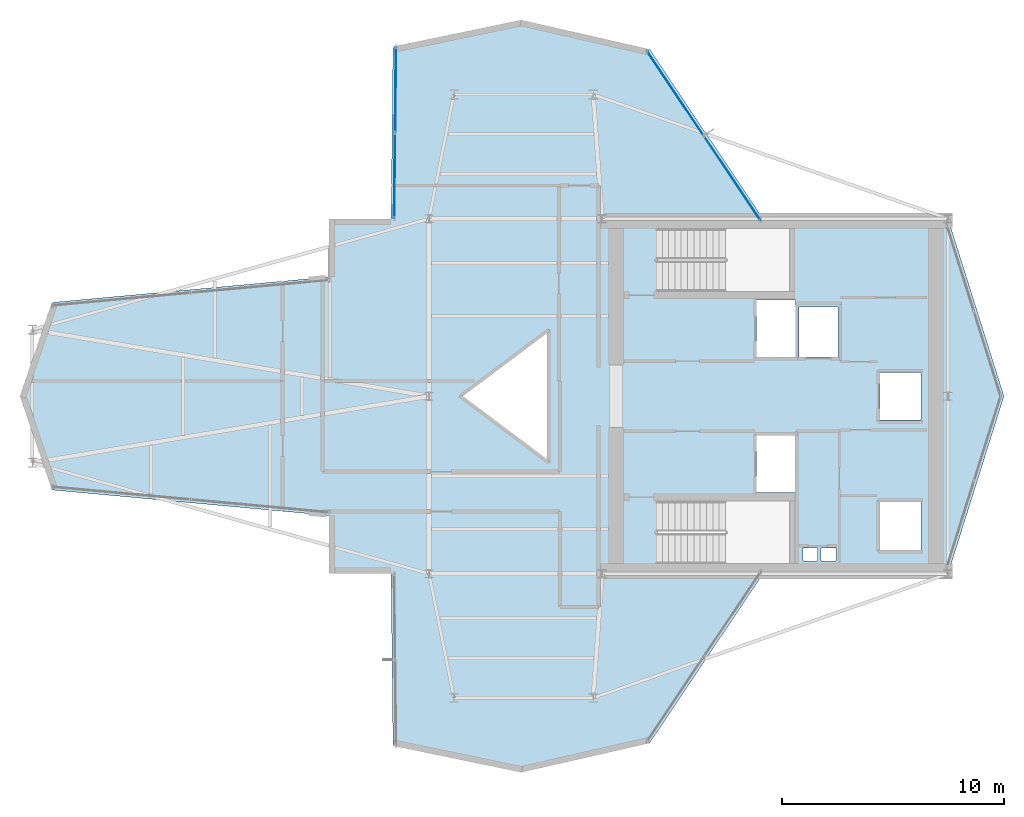
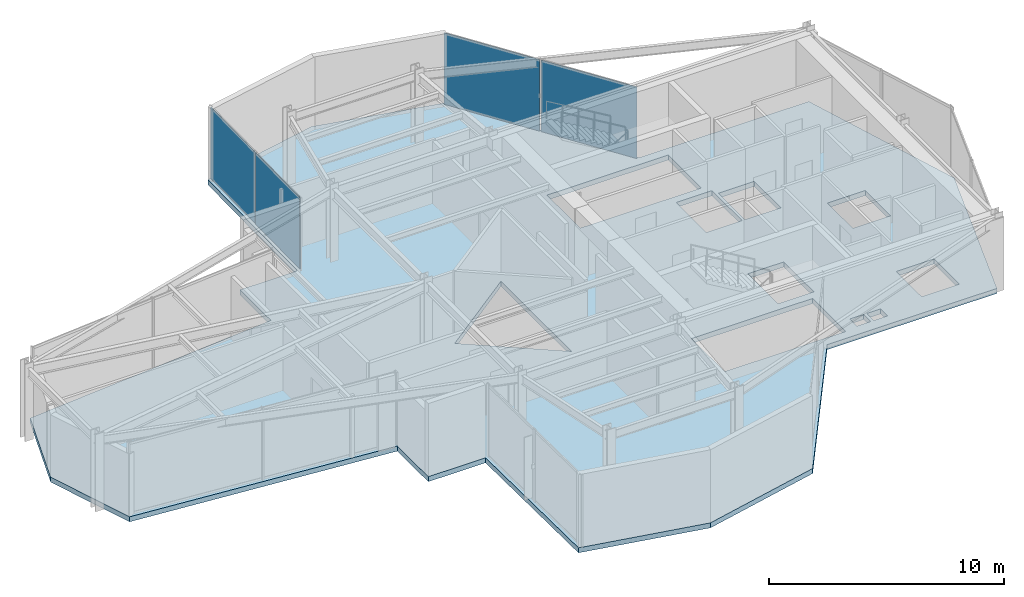
# One storey, part 18 of 22: 4 plates, 1 slab, 2 elements without a shape of their own.
"""IFC4 building model written with IfcOpenShell, lengths in metres."""

from ifc_helpers import new_model, si_unit, direction, frame, origin, origin_2d, place, context, subcontext, project, spatial, polyline, rectangle, outline, extrude, material, layer, layer_set, type_object, element, aggregate, save


model = new_model("IFC4")

# Units and contexts
model_context = context("Model", 3, precision=1e-05, world=origin(), true_north=direction((0.0, 1.0)))
body_context = subcontext(model_context, "Body", "Model", "MODEL_VIEW")
ifc_project = project(units=[si_unit("LENGTHUNIT", "METRE"), si_unit("AREAUNIT", "SQUARE_METRE"), si_unit("VOLUMEUNIT", "CUBIC_METRE"), si_unit("PLANEANGLEUNIT", "RADIAN"), si_unit("MASSUNIT", "GRAM", prefix="KILO")], contexts=[model_context])

# Site, building, storey
site_placement = place(None, origin())
site = spatial("IfcSite", under=ifc_project, at=site_placement, CompositionType="ELEMENT")
building_placement = place(site_placement, origin())
building = spatial("IfcBuilding", under=site, at=building_placement, Name="Veymaron Broadcast Tower", CompositionType="ELEMENT")
storey_placement = place(building_placement, frame((0.0, 0.0, 208.050048828125)))
storey = spatial("IfcBuildingStorey", under=building, at=storey_placement, Name="L48", CompositionType="ELEMENT", Elevation=208.050048828125)

# Curtain wall, plates
ifc_material_1 = material(Name="Anodised aluminium AA 6063-T6 and laminated low-E dark glass", Category="aluminium")
ifc_layer_1 = layer(ifc_material_1, 0.179931640625)
ifc_layer_set_1 = layer_set([ifc_layer_1], Name="Anodised aluminium AA 6063-T6 and laminated low-E dark glass")
curtain_wall_type = type_object("IfcCurtainWallType", Name="CW-SYS-05", PredefinedType="NOTDEFINED", material=ifc_layer_set_1)
curtain_wall_1_placement = place(storey_placement, origin())
curtain_wall_1 = element("IfcCurtainWall", 1, at=curtain_wall_1_placement, inside=storey, type_object=curtain_wall_type, Name="L48 dark-glass curtain wall CW-L48-E5-1", PredefinedType="NOTDEFINED")
ifc_material_2 = material(Name="Double-silver solar-control dark glass IGU 32 mm", Category="glass")
ifc_layer_2 = layer(ifc_material_2, 0.031982421875)
ifc_layer_set_2 = layer_set([ifc_layer_2], Name="Double-silver solar-control dark glass IGU 32 mm")
plate_type = type_object("IfcPlateType", Name="CW-PNL-02", PredefinedType="CURTAIN_PANEL", material=ifc_layer_set_2)
plate_1_placement = place(storey_placement, frame((44.867919921875, 33.83203125, 0.0400390625), z_axis=(0.0, 0.0, 1.0), x_axis=(-0.556658147909, 0.830741660426, 0.0)))
plate_1 = element("IfcPlate", 2, at=plate_1_placement, type_object=plate_type, Name="CW-L48-E5-1 unitised curtain panel 0", PredefinedType="CURTAIN_PANEL", context=body_context, shape_type="SweptSolid", body=[
    extrude(rectangle(XDim=4.538330078125, YDim=0.031982421875, at=origin_2d()), origin(), (0.0, 0.0, 1.0), 3.7099609375),
])
plate_2_placement = place(storey_placement, frame((42.30810546875, 37.652099609375, 0.0400390625), z_axis=(0.0, 0.0, 1.0), x_axis=(-0.556658147909, 0.830741660426, 0.0)))
plate_2 = element("IfcPlate", 3, at=plate_2_placement, type_object=plate_type, Name="CW-L48-E5-1 unitised curtain panel 1", PredefinedType="CURTAIN_PANEL", context=body_context, shape_type="SweptSolid", body=[
    extrude(rectangle(XDim=4.538330078125, YDim=0.031982421875, at=origin_2d()), origin(), (0.0, 0.0, 1.0), 3.7099609375),
])
aggregate(curtain_wall_1, [plate_1, plate_2])

curtain_wall_2_placement = place(storey_placement, origin())
curtain_wall_2 = element("IfcCurtainWall", 4, at=curtain_wall_2_placement, inside=storey, type_object=curtain_wall_type, Name="L48 dark-glass curtain wall CW-L48-E8-1", PredefinedType="NOTDEFINED")
plate_3_placement = place(storey_placement, frame((29.69384765625, 37.818359375, 0.0400390625), z_axis=(0.0, 0.0, 1.0), x_axis=(-0.011152422724, -0.9999378098, 0.0)))
plate_3 = element("IfcPlate", 5, at=plate_3_placement, type_object=plate_type, Name="CW-L48-E8-1 unitised curtain panel 0", PredefinedType="CURTAIN_PANEL", context=body_context, shape_type="SweptSolid", body=[
    extrude(rectangle(XDim=3.8203125, YDim=0.031982421875, at=origin_2d()), origin(), (0.0, 0.0, 1.0), 3.7099609375),
])
plate_4_placement = place(storey_placement, frame((29.650634765625, 33.9384765625, 0.0400390625), z_axis=(0.0, 0.0, 1.0), x_axis=(-0.011152422724, -0.9999378098, 0.0)))
plate_4 = element("IfcPlate", 6, at=plate_4_placement, type_object=plate_type, Name="CW-L48-E8-1 unitised curtain panel 1", PredefinedType="CURTAIN_PANEL", context=body_context, shape_type="SweptSolid", body=[
    extrude(rectangle(XDim=3.8203125, YDim=0.031982421875, at=origin_2d()), origin(), (0.0, 0.0, 1.0), 3.7099609375),
])
aggregate(curtain_wall_2, [plate_3, plate_4])

# Slab
ifc_material_3 = material(Name="Concrete C40/50", Category="concrete")
ifc_layer_3 = layer(ifc_material_3, 0.260009765625)
ifc_layer_set_3 = layer_set([ifc_layer_3], Name="Concrete C40/50")
slab_type = type_object("IfcSlabType", Name="SLAB-FS5", PredefinedType="FLOOR", material=ifc_layer_set_3)
slab_placement = place(storey_placement, frame((0.0, 0.0, -0.260009765625)))
element("IfcSlab", 7, at=slab_placement, inside=storey, type_object=slab_type, Name="L48 structural floor slab", PredefinedType="FLOOR", context=body_context, shape_type="SweptSolid", body=[
    extrude(outline(polyline([(46.263916015625, 16.0), (54.60009765625, 16.0), (57.1201171875, 24.0), (54.60009765625, 32.0), (46.263916015625, 32.0), (41.14453125, 39.639892578125), (35.360107421875, 40.9599609375), (29.575439453125, 39.760009765625), (29.489013671875, 32.0), (26.679931640625, 32.0), (26.679931640625, 29.377685546875), (14.199951171875, 28.22705078125), (12.760009765625, 24.0), (14.199951171875, 19.77294921875), (26.679931640625, 18.622314453125), (26.679931640625, 16.0), (29.489013671875, 16.0), (29.575439453125, 8.239990234375), (35.360107421875, 7.0400390625), (41.14453125, 8.360107421875), (46.263916015625, 16.0)]), holes=[polyline([(45.969970703125, 28.330078125), (47.72998046875, 28.330078125), (47.72998046875, 25.77001953125), (45.969970703125, 25.77001953125), (45.969970703125, 28.330078125)]), polyline([(45.969970703125, 22.22998046875), (47.72998046875, 22.22998046875), (47.72998046875, 19.669921875), (45.969970703125, 19.669921875), (45.969970703125, 22.22998046875)]), polyline([(47.8701171875, 28.030029296875), (49.6298828125, 28.030029296875), (49.6298828125, 25.77001953125), (47.8701171875, 25.77001953125), (47.8701171875, 28.030029296875)]), polyline([(51.52001953125, 25.080078125), (53.3798828125, 25.080078125), (53.3798828125, 22.919921875), (51.52001953125, 22.919921875), (51.52001953125, 25.080078125)]), polyline([(51.52001953125, 19.22998046875), (53.3798828125, 19.22998046875), (53.3798828125, 17.070068359375), (51.52001953125, 17.070068359375), (51.52001953125, 19.22998046875)]), polyline([(48.050048828125, 17.159912109375), (48.719970703125, 17.159912109375), (48.719970703125, 16.56005859375), (48.050048828125, 16.56005859375), (48.050048828125, 17.159912109375)]), polyline([(48.8798828125, 17.159912109375), (49.550048828125, 17.159912109375), (49.550048828125, 16.56005859375), (48.8798828125, 16.56005859375), (48.8798828125, 17.159912109375)]), polyline([(36.60009765625, 27.0), (36.60009765625, 21.0), (32.60009765625, 24.0), (36.60009765625, 27.0)]), polyline([(41.489990234375, 31.550048828125), (47.43994140625, 31.550048828125), (47.43994140625, 28.72998046875), (41.489990234375, 28.72998046875), (41.489990234375, 31.550048828125)]), polyline([(41.489990234375, 19.27001953125), (47.43994140625, 19.27001953125), (47.43994140625, 16.449951171875), (41.489990234375, 16.449951171875), (41.489990234375, 19.27001953125)])]), origin(), (0.0, 0.0, 1.0), 0.260009765625),
])

save(model, "model.ifc")
